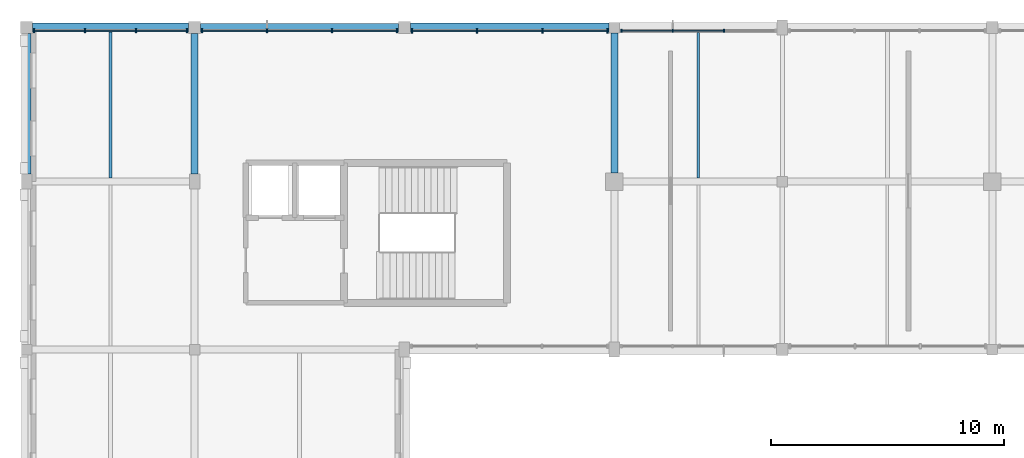
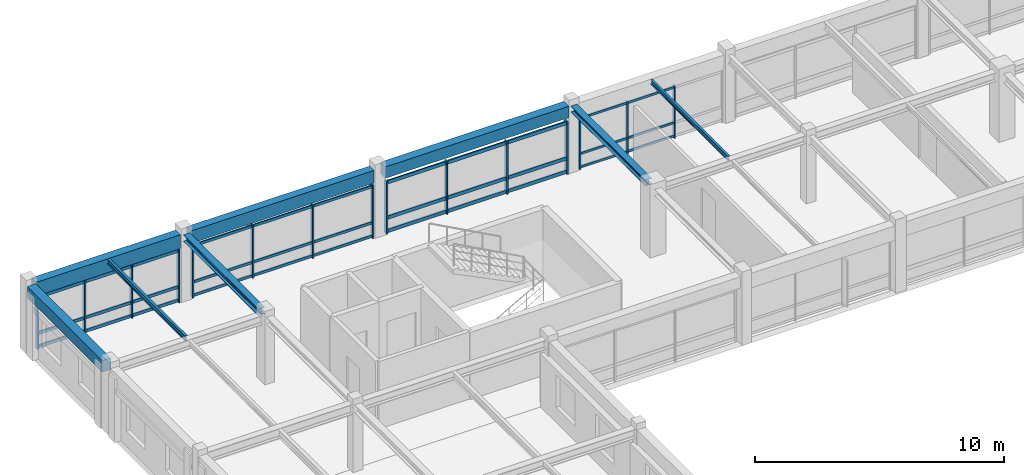
# One storey, part 24 of 74: 48 members, 8 beams, 4 elements without a shape of their own.
"""IFC4 building model written with IfcOpenShell, lengths in metres."""

from ifc_helpers import new_model, si_unit, direction, frame, origin, origin_2d, place, context, subcontext, project, spatial, rectangle, i_section, extrude, material, material_profile, profile_set, type_object, element, aggregate, save


model = new_model("IFC4")

# Units and contexts
model_context = context("Model", 3, precision=1e-05, world=origin(), true_north=direction((0.0, 1.0)))
body_context = subcontext(model_context, "Body", "Model", "MODEL_VIEW")
ifc_project = project(units=[si_unit("LENGTHUNIT", "METRE"), si_unit("AREAUNIT", "SQUARE_METRE"), si_unit("VOLUMEUNIT", "CUBIC_METRE"), si_unit("PLANEANGLEUNIT", "RADIAN"), si_unit("MASSUNIT", "GRAM", prefix="KILO")], contexts=[model_context])

# Site, building, storey
site_placement = place(None, origin())
site = spatial("IfcSite", under=ifc_project, at=site_placement, CompositionType="ELEMENT")
building_placement = place(site_placement, origin())
building = spatial("IfcBuilding", under=site, at=building_placement, Name="Clarverna Civic Hall", CompositionType="ELEMENT")
storey_placement = place(building_placement, frame((0.0, 0.0, 13.199951171875)))
storey = spatial("IfcBuildingStorey", under=building, at=storey_placement, Name="L03", CompositionType="ELEMENT", Elevation=13.199951171875)

# Beams
ifc_material_1 = material(Name="Concrete C35/45", Category="concrete")
ifc_material_profile_1 = material_profile(ifc_material_1, rectangle(XDim=0.3798828125, YDim=0.679931640625, at=origin_2d()), Name="RC 380x680")
ifc_profile_set_1 = profile_set([ifc_material_profile_1], Name="Concrete C35/45")
beam_type_1 = type_object("IfcBeamType", Name="B-SP2", PredefinedType="SPANDREL", material=ifc_profile_set_1)
beam_1_placement = place(storey_placement, frame((0.25, 116.0, 2.9599609375), z_axis=(1.0, 0.0, 0.0), x_axis=(0.0, 1.0, 0.0)))
element("IfcBeam", 1, at=beam_1_placement, inside=storey, type_object=beam_type_1, Name="B-SP2-119", PredefinedType="SPANDREL", context=body_context, shape_type="SweptSolid", body=[
    extrude(rectangle(XDim=0.3798828125, YDim=0.679931640625, at=origin_2d()), origin(), (0.0, 0.0, 1.0), 6.699951171875),
])
ifc_material_profile_2 = material_profile(ifc_material_1, rectangle(XDim=0.360107421875, YDim=0.6201171875, at=origin_2d()), Name="RC 360x620")
ifc_profile_set_2 = profile_set([ifc_material_profile_2], Name="Concrete C35/45")
beam_type_2 = type_object("IfcBeamType", Name="B-SP3", PredefinedType="SPANDREL", material=ifc_profile_set_2)
beam_2_placement = place(storey_placement, frame((7.449951171875, 116.0, 2.989990234375), z_axis=(1.0, 0.0, 0.0), x_axis=(0.0, 1.0, 0.0)))
element("IfcBeam", 2, at=beam_2_placement, inside=storey, type_object=beam_type_2, Name="B-SP3-116", PredefinedType="SPANDREL", context=body_context, shape_type="SweptSolid", body=[
    extrude(rectangle(XDim=0.360107421875, YDim=0.6201171875, at=origin_2d()), origin(), (0.0, 0.0, 1.0), 8.5),
])
ifc_material_profile_3 = material_profile(ifc_material_1, rectangle(XDim=0.39990234375, YDim=0.56005859375, at=origin_2d()), Name="RC 400x560")
ifc_profile_set_3 = profile_set([ifc_material_profile_3], Name="Concrete C35/45")
beam_type_3 = type_object("IfcBeamType", Name="B-SP4", PredefinedType="SPANDREL", material=ifc_profile_set_3)
beam_3_placement = place(storey_placement, frame((16.449951171875, 116.0, 3.02001953125), z_axis=(1.0, 0.0, 0.0), x_axis=(0.0, 1.0, 0.0)))
element("IfcBeam", 3, at=beam_3_placement, inside=storey, type_object=beam_type_3, Name="B-SP4-116", PredefinedType="SPANDREL", context=body_context, shape_type="SweptSolid", body=[
    extrude(rectangle(XDim=0.39990234375, YDim=0.56005859375, at=origin_2d()), origin(), (0.0, 0.0, 1.0), 8.525146484375),
])
beam_4_placement = place(storey_placement, frame((0.0, 109.72509765625, 3.02001953125), z_axis=(0.0, 1.0, 0.0), x_axis=(-1.0, 0.0, 0.0)))
element("IfcBeam", 4, at=beam_4_placement, inside=storey, type_object=beam_type_3, Name="B-SP4-122", PredefinedType="SPANDREL", context=body_context, shape_type="SweptSolid", body=[
    extrude(rectangle(XDim=0.39990234375, YDim=0.56005859375, at=origin_2d()), origin(), (0.0, 0.0, 1.0), 6.02490234375),
])
ifc_material_2 = material(Name="Steel S355", Category="steel")
ifc_material_profile_4 = material_profile(ifc_material_2, i_section(OverallWidth=0.300048828125, OverallDepth=0.2900390625, WebThickness=0.008544921875, FlangeThickness=0.013916015625, FilletRadius=0.027099609375, at=origin_2d()), Name="HEA 300")
ifc_profile_set_4 = profile_set([ifc_material_profile_4], Name="Steel S355")
beam_type_4 = type_object("IfcBeamType", Name="B-ST10", PredefinedType="BEAM", material=ifc_profile_set_4)
beam_5_placement = place(storey_placement, frame((25.199951171875, 109.77490234375, 3.155029296875), z_axis=(0.0, 1.0, 0.0), x_axis=(-1.0, 0.0, 0.0)))
element("IfcBeam", 5, at=beam_5_placement, inside=storey, type_object=beam_type_4, Name="B-ST10-015", PredefinedType="BEAM", context=body_context, shape_type="SweptSolid", body=[
    extrude(i_section(OverallWidth=0.300048828125, OverallDepth=0.2900390625, WebThickness=0.008544921875, FlangeThickness=0.013916015625, FilletRadius=0.027099609375, at=origin_2d()), origin(), (0.0, 0.0, 1.0), 6.0),
])
ifc_material_profile_5 = material_profile(ifc_material_2, i_section(OverallWidth=0.300048828125, OverallDepth=0.330078125, WebThickness=0.009521484375, FlangeThickness=0.0166015625, FilletRadius=0.027099609375, at=origin_2d()), Name="HEA 340")
ifc_profile_set_5 = profile_set([ifc_material_profile_5], Name="Steel S355")
beam_type_5 = type_object("IfcBeamType", Name="B-ST8", PredefinedType="BEAM", material=ifc_profile_set_5)
beam_6_placement = place(storey_placement, frame((7.199951171875, 109.72509765625, 3.135009765625), z_axis=(0.0, 1.0, 0.0), x_axis=(-1.0, 0.0, 0.0)))
element("IfcBeam", 6, at=beam_6_placement, inside=storey, type_object=beam_type_5, Name="B-ST8-086", PredefinedType="BEAM", context=body_context, shape_type="SweptSolid", body=[
    extrude(i_section(OverallWidth=0.300048828125, OverallDepth=0.330078125, WebThickness=0.009521484375, FlangeThickness=0.0166015625, FilletRadius=0.027099609375, at=origin_2d()), origin(), (0.0, 0.0, 1.0), 6.02490234375),
])

# Curtain wall, members
ifc_material_3 = material(Name="Anodised Bronze Architectural Aluminium", Category="aluminium")
curtain_wall_type = type_object("IfcCurtainWallType", Name="CW-05", PredefinedType="USERDEFINED", material=ifc_material_3)
curtain_wall_1_placement = place(storey_placement, origin())
curtain_wall_1 = element("IfcCurtainWall", 7, at=curtain_wall_1_placement, inside=storey, type_object=curtain_wall_type, Name="CW-05-001", ObjectType="UNITISED CURTAIN WALL", PredefinedType="USERDEFINED")
ifc_material_profile_6 = material_profile(ifc_material_3, rectangle(XDim=0.06005859375, YDim=0.179931640625, at=origin_2d()), Name="BRONZE 60x180")
ifc_profile_set_6 = profile_set([ifc_material_profile_6], Name="Anodised Bronze Architectural Aluminium")
member_type_1 = type_object("IfcMemberType", Name="CWM-01", PredefinedType="MULLION", material=ifc_profile_set_6)
member_1_placement = place(storey_placement, frame((0.322998046875, 115.860107421875, 0.0), z_axis=(0.0, 0.0, 1.0), x_axis=(1.0, 0.0, 0.0)))
member_1 = element("IfcMember", 8, at=member_1_placement, type_object=member_type_1, Name="CWM-01-128", PredefinedType="MULLION", context=body_context, shape_type="SweptSolid", body=[
    extrude(rectangle(XDim=0.06005859375, YDim=0.179931640625, at=origin_2d()), origin(), (0.0, 0.0, 1.0), 2.6201171875),
])
member_2_placement = place(storey_placement, frame((2.5078125, 115.860107421875, 0.0), z_axis=(0.0, 0.0, 1.0), x_axis=(1.0, 0.0, 0.0)))
member_2 = element("IfcMember", 9, at=member_2_placement, type_object=member_type_1, Name="CWM-01-129", PredefinedType="MULLION", context=body_context, shape_type="SweptSolid", body=[
    extrude(rectangle(XDim=0.06005859375, YDim=0.179931640625, at=origin_2d()), origin(), (0.0, 0.0, 1.0), 2.6201171875),
])
member_3_placement = place(storey_placement, frame((4.6923828125, 115.860107421875, 0.0), z_axis=(0.0, 0.0, 1.0), x_axis=(1.0, 0.0, 0.0)))
member_3 = element("IfcMember", 10, at=member_3_placement, type_object=member_type_1, Name="CWM-01-130", PredefinedType="MULLION", context=body_context, shape_type="SweptSolid", body=[
    extrude(rectangle(XDim=0.06005859375, YDim=0.179931640625, at=origin_2d()), origin(), (0.0, 0.0, 1.0), 2.6201171875),
])
member_4_placement = place(storey_placement, frame((6.876953125, 115.860107421875, 0.0), z_axis=(0.0, 0.0, 1.0), x_axis=(1.0, 0.0, 0.0)))
member_4 = element("IfcMember", 11, at=member_4_placement, type_object=member_type_1, Name="CWM-01-131", PredefinedType="MULLION", context=body_context, shape_type="SweptSolid", body=[
    extrude(rectangle(XDim=0.06005859375, YDim=0.179931640625, at=origin_2d()), origin(), (0.0, 0.0, 1.0), 2.6201171875),
])

curtain_wall_2_placement = place(storey_placement, origin())
curtain_wall_2 = element("IfcCurtainWall", 12, at=curtain_wall_2_placement, inside=storey, type_object=curtain_wall_type, Name="CW-05-002", ObjectType="UNITISED CURTAIN WALL", PredefinedType="USERDEFINED")
ifc_material_profile_7 = material_profile(ifc_material_3, rectangle(XDim=0.06005859375, YDim=0.159912109375, at=origin_2d()), Name="BRONZE 60x160")
ifc_profile_set_7 = profile_set([ifc_material_profile_7], Name="Anodised Bronze Architectural Aluminium")
member_type_2 = type_object("IfcMemberType", Name="CWM-02", PredefinedType="MULLION", material=ifc_profile_set_7)
member_5_placement = place(storey_placement, frame((7.52294921875, 115.860107421875, 0.0), z_axis=(0.0, 0.0, 1.0), x_axis=(1.0, 0.0, 0.0)))
member_5 = element("IfcMember", 13, at=member_5_placement, type_object=member_type_2, Name="CWM-02-168", PredefinedType="MULLION", context=body_context, shape_type="SweptSolid", body=[
    extrude(rectangle(XDim=0.06005859375, YDim=0.159912109375, at=origin_2d()), origin(), (0.0, 0.0, 1.0), 2.6201171875),
])
member_6_placement = place(storey_placement, frame((10.3076171875, 115.860107421875, 0.0), z_axis=(0.0, 0.0, 1.0), x_axis=(1.0, 0.0, 0.0)))
member_6 = element("IfcMember", 14, at=member_6_placement, type_object=member_type_2, Name="CWM-02-169", PredefinedType="MULLION", context=body_context, shape_type="SweptSolid", body=[
    extrude(rectangle(XDim=0.06005859375, YDim=0.159912109375, at=origin_2d()), origin(), (0.0, 0.0, 1.0), 2.6201171875),
])
member_7_placement = place(storey_placement, frame((13.09228515625, 115.860107421875, 0.0), z_axis=(0.0, 0.0, 1.0), x_axis=(1.0, 0.0, 0.0)))
member_7 = element("IfcMember", 15, at=member_7_placement, type_object=member_type_2, Name="CWM-02-170", PredefinedType="MULLION", context=body_context, shape_type="SweptSolid", body=[
    extrude(rectangle(XDim=0.06005859375, YDim=0.159912109375, at=origin_2d()), origin(), (0.0, 0.0, 1.0), 2.6201171875),
])
member_8_placement = place(storey_placement, frame((15.876953125, 115.860107421875, 0.0), z_axis=(0.0, 0.0, 1.0), x_axis=(1.0, 0.0, 0.0)))
member_8 = element("IfcMember", 16, at=member_8_placement, type_object=member_type_2, Name="CWM-02-171", PredefinedType="MULLION", context=body_context, shape_type="SweptSolid", body=[
    extrude(rectangle(XDim=0.06005859375, YDim=0.159912109375, at=origin_2d()), origin(), (0.0, 0.0, 1.0), 2.6201171875),
])

curtain_wall_3_placement = place(storey_placement, origin())
curtain_wall_3 = element("IfcCurtainWall", 17, at=curtain_wall_3_placement, inside=storey, type_object=curtain_wall_type, Name="CW-05-003", ObjectType="UNITISED CURTAIN WALL", PredefinedType="USERDEFINED")
ifc_material_profile_8 = material_profile(ifc_material_3, rectangle(XDim=0.06494140625, YDim=0.199951171875, at=origin_2d()), Name="BRONZE 65x200")
ifc_profile_set_8 = profile_set([ifc_material_profile_8], Name="Anodised Bronze Architectural Aluminium")
member_type_3 = type_object("IfcMemberType", Name="CWM-03", PredefinedType="MULLION", material=ifc_profile_set_8)
member_9_placement = place(storey_placement, frame((16.52294921875, 115.860107421875, 0.0), z_axis=(0.0, 0.0, 1.0), x_axis=(1.0, 0.0, 0.0)))
member_9 = element("IfcMember", 18, at=member_9_placement, type_object=member_type_3, Name="CWM-03-131", PredefinedType="MULLION", context=body_context, shape_type="SweptSolid", body=[
    extrude(rectangle(XDim=0.06494140625, YDim=0.199951171875, at=origin_2d()), origin(), (0.0, 0.0, 1.0), 2.580078125),
])
member_10_placement = place(storey_placement, frame((19.31591796875, 115.860107421875, 0.0), z_axis=(0.0, 0.0, 1.0), x_axis=(1.0, 0.0, 0.0)))
member_10 = element("IfcMember", 19, at=member_10_placement, type_object=member_type_3, Name="CWM-03-132", PredefinedType="MULLION", context=body_context, shape_type="SweptSolid", body=[
    extrude(rectangle(XDim=0.06494140625, YDim=0.199951171875, at=origin_2d()), origin(), (0.0, 0.0, 1.0), 2.580078125),
])
member_11_placement = place(storey_placement, frame((22.10888671875, 115.860107421875, 0.0), z_axis=(0.0, 0.0, 1.0), x_axis=(1.0, 0.0, 0.0)))
member_11 = element("IfcMember", 20, at=member_11_placement, type_object=member_type_3, Name="CWM-03-133", PredefinedType="MULLION", context=body_context, shape_type="SweptSolid", body=[
    extrude(rectangle(XDim=0.06494140625, YDim=0.199951171875, at=origin_2d()), origin(), (0.0, 0.0, 1.0), 2.580078125),
])
member_12_placement = place(storey_placement, frame((24.902099609375, 115.860107421875, 0.0), z_axis=(0.0, 0.0, 1.0), x_axis=(1.0, 0.0, 0.0)))
member_12 = element("IfcMember", 21, at=member_12_placement, type_object=member_type_3, Name="CWM-03-134", PredefinedType="MULLION", context=body_context, shape_type="SweptSolid", body=[
    extrude(rectangle(XDim=0.06494140625, YDim=0.199951171875, at=origin_2d()), origin(), (0.0, 0.0, 1.0), 2.580078125),
])

curtain_wall_4_placement = place(storey_placement, origin())
curtain_wall_4 = element("IfcCurtainWall", 22, at=curtain_wall_4_placement, inside=storey, type_object=curtain_wall_type, Name="CW-05-004", ObjectType="UNITISED CURTAIN WALL", PredefinedType="USERDEFINED")
ifc_material_profile_9 = material_profile(ifc_material_3, rectangle(XDim=0.054931640625, YDim=0.139892578125, at=origin_2d()), Name="BRONZE 55x140")
ifc_profile_set_9 = profile_set([ifc_material_profile_9], Name="Anodised Bronze Architectural Aluminium")
member_type_4 = type_object("IfcMemberType", Name="CWM-04", PredefinedType="MULLION", material=ifc_profile_set_9)
member_13_placement = place(storey_placement, frame((25.498046875, 115.860107421875, 0.0), z_axis=(0.0, 0.0, 1.0), x_axis=(1.0, 0.0, 0.0)))
member_13 = element("IfcMember", 23, at=member_13_placement, type_object=member_type_4, Name="CWM-04-172", PredefinedType="MULLION", context=body_context, shape_type="SweptSolid", body=[
    extrude(rectangle(XDim=0.054931640625, YDim=0.139892578125, at=origin_2d()), origin(), (0.0, 0.0, 1.0), 2.580078125),
])
member_14_placement = place(storey_placement, frame((27.69921875, 115.860107421875, 0.0), z_axis=(0.0, 0.0, 1.0), x_axis=(1.0, 0.0, 0.0)))
member_14 = element("IfcMember", 24, at=member_14_placement, type_object=member_type_4, Name="CWM-04-173", PredefinedType="MULLION", context=body_context, shape_type="SweptSolid", body=[
    extrude(rectangle(XDim=0.054931640625, YDim=0.139892578125, at=origin_2d()), origin(), (0.0, 0.0, 1.0), 2.580078125),
])
member_15_placement = place(storey_placement, frame((29.900634765625, 115.860107421875, 0.0), z_axis=(0.0, 0.0, 1.0), x_axis=(1.0, 0.0, 0.0)))
member_15 = element("IfcMember", 25, at=member_15_placement, type_object=member_type_4, Name="CWM-04-174", PredefinedType="MULLION", context=body_context, shape_type="SweptSolid", body=[
    extrude(rectangle(XDim=0.054931640625, YDim=0.139892578125, at=origin_2d()), origin(), (0.0, 0.0, 1.0), 2.580078125),
])

# Member
ifc_material_profile_10 = material_profile(ifc_material_3, rectangle(XDim=0.06005859375, YDim=0.14990234375, at=origin_2d()), Name="BRONZE 60x150")
ifc_profile_set_10 = profile_set([ifc_material_profile_10], Name="Anodised Bronze Architectural Aluminium")
member_type_5 = type_object("IfcMemberType", Name="CWT-01", PredefinedType="USERDEFINED", material=ifc_profile_set_10)
member_16_placement = place(storey_placement, frame((0.337890625, 115.860107421875, 0.094970703125), z_axis=(1.0, 0.0, 0.0), x_axis=(0.0, 1.0, 0.0)))
member_16 = element("IfcMember", 26, at=member_16_placement, type_object=member_type_5, Name="CWT-01-271", ObjectType="TRANSOM", PredefinedType="USERDEFINED", context=body_context, shape_type="SweptSolid", body=[
    extrude(rectangle(XDim=0.06005859375, YDim=0.14990234375, at=origin_2d()), origin(), (0.0, 0.0, 1.0), 2.15478515625),
])

member_17_placement = place(storey_placement, frame((0.337890625, 115.860107421875, 0.75), z_axis=(1.0, 0.0, 0.0), x_axis=(0.0, 1.0, 0.0)))
member_17 = element("IfcMember", 27, at=member_17_placement, type_object=member_type_5, Name="CWT-01-272", ObjectType="TRANSOM", PredefinedType="USERDEFINED", context=body_context, shape_type="SweptSolid", body=[
    extrude(rectangle(XDim=0.06005859375, YDim=0.14990234375, at=origin_2d()), origin(), (0.0, 0.0, 1.0), 2.15478515625),
])

member_18_placement = place(storey_placement, frame((0.337890625, 115.860107421875, 2.525146484375), z_axis=(1.0, 0.0, 0.0), x_axis=(0.0, 1.0, 0.0)))
member_18 = element("IfcMember", 28, at=member_18_placement, type_object=member_type_5, Name="CWT-01-273", ObjectType="TRANSOM", PredefinedType="USERDEFINED", context=body_context, shape_type="SweptSolid", body=[
    extrude(rectangle(XDim=0.06005859375, YDim=0.14990234375, at=origin_2d()), origin(), (0.0, 0.0, 1.0), 2.15478515625),
])

member_19_placement = place(storey_placement, frame((2.522705078125, 115.860107421875, 0.094970703125), z_axis=(1.0, 0.0, 0.0), x_axis=(0.0, 1.0, 0.0)))
member_19 = element("IfcMember", 29, at=member_19_placement, type_object=member_type_5, Name="CWT-01-274", ObjectType="TRANSOM", PredefinedType="USERDEFINED", context=body_context, shape_type="SweptSolid", body=[
    extrude(rectangle(XDim=0.06005859375, YDim=0.14990234375, at=origin_2d()), origin(), (0.0, 0.0, 1.0), 2.154541015625),
])

member_20_placement = place(storey_placement, frame((2.522705078125, 115.860107421875, 0.75), z_axis=(1.0, 0.0, 0.0), x_axis=(0.0, 1.0, 0.0)))
member_20 = element("IfcMember", 30, at=member_20_placement, type_object=member_type_5, Name="CWT-01-275", ObjectType="TRANSOM", PredefinedType="USERDEFINED", context=body_context, shape_type="SweptSolid", body=[
    extrude(rectangle(XDim=0.06005859375, YDim=0.14990234375, at=origin_2d()), origin(), (0.0, 0.0, 1.0), 2.154541015625),
])

member_21_placement = place(storey_placement, frame((2.522705078125, 115.860107421875, 2.525146484375), z_axis=(1.0, 0.0, 0.0), x_axis=(0.0, 1.0, 0.0)))
member_21 = element("IfcMember", 31, at=member_21_placement, type_object=member_type_5, Name="CWT-01-276", ObjectType="TRANSOM", PredefinedType="USERDEFINED", context=body_context, shape_type="SweptSolid", body=[
    extrude(rectangle(XDim=0.06005859375, YDim=0.14990234375, at=origin_2d()), origin(), (0.0, 0.0, 1.0), 2.154541015625),
])

member_22_placement = place(storey_placement, frame((4.707275390625, 115.860107421875, 0.094970703125), z_axis=(1.0, 0.0, 0.0), x_axis=(0.0, 1.0, 0.0)))
member_22 = element("IfcMember", 32, at=member_22_placement, type_object=member_type_5, Name="CWT-01-277", ObjectType="TRANSOM", PredefinedType="USERDEFINED", context=body_context, shape_type="SweptSolid", body=[
    extrude(rectangle(XDim=0.06005859375, YDim=0.14990234375, at=origin_2d()), origin(), (0.0, 0.0, 1.0), 2.15478515625),
])

member_23_placement = place(storey_placement, frame((4.707275390625, 115.860107421875, 0.75), z_axis=(1.0, 0.0, 0.0), x_axis=(0.0, 1.0, 0.0)))
member_23 = element("IfcMember", 33, at=member_23_placement, type_object=member_type_5, Name="CWT-01-278", ObjectType="TRANSOM", PredefinedType="USERDEFINED", context=body_context, shape_type="SweptSolid", body=[
    extrude(rectangle(XDim=0.06005859375, YDim=0.14990234375, at=origin_2d()), origin(), (0.0, 0.0, 1.0), 2.15478515625),
])

member_24_placement = place(storey_placement, frame((4.707275390625, 115.860107421875, 2.525146484375), z_axis=(1.0, 0.0, 0.0), x_axis=(0.0, 1.0, 0.0)))
member_24 = element("IfcMember", 34, at=member_24_placement, type_object=member_type_5, Name="CWT-01-279", ObjectType="TRANSOM", PredefinedType="USERDEFINED", context=body_context, shape_type="SweptSolid", body=[
    extrude(rectangle(XDim=0.06005859375, YDim=0.14990234375, at=origin_2d()), origin(), (0.0, 0.0, 1.0), 2.15478515625),
])

aggregate(curtain_wall_1, [member_1, member_2, member_3, member_4, member_16, member_17, member_18, member_19, member_20, member_21, member_22, member_23, member_24])

ifc_material_profile_11 = material_profile(ifc_material_3, rectangle(XDim=0.06005859375, YDim=0.1298828125, at=origin_2d()), Name="BRONZE 60x130")
ifc_profile_set_11 = profile_set([ifc_material_profile_11], Name="Anodised Bronze Architectural Aluminium")
member_type_6 = type_object("IfcMemberType", Name="CWT-02", PredefinedType="USERDEFINED", material=ifc_profile_set_11)
member_25_placement = place(storey_placement, frame((7.5380859375, 115.860107421875, 0.094970703125), z_axis=(1.0, 0.0, 0.0), x_axis=(0.0, 1.0, 0.0)))
member_25 = element("IfcMember", 35, at=member_25_placement, type_object=member_type_6, Name="CWT-02-352", ObjectType="TRANSOM", PredefinedType="USERDEFINED", context=body_context, shape_type="SweptSolid", body=[
    extrude(rectangle(XDim=0.06005859375, YDim=0.1298828125, at=origin_2d()), origin(), (0.0, 0.0, 1.0), 2.754638671875),
])

member_26_placement = place(storey_placement, frame((7.5380859375, 115.860107421875, 0.75), z_axis=(1.0, 0.0, 0.0), x_axis=(0.0, 1.0, 0.0)))
member_26 = element("IfcMember", 36, at=member_26_placement, type_object=member_type_6, Name="CWT-02-353", ObjectType="TRANSOM", PredefinedType="USERDEFINED", context=body_context, shape_type="SweptSolid", body=[
    extrude(rectangle(XDim=0.06005859375, YDim=0.1298828125, at=origin_2d()), origin(), (0.0, 0.0, 1.0), 2.754638671875),
])

member_27_placement = place(storey_placement, frame((7.5380859375, 115.860107421875, 2.525146484375), z_axis=(1.0, 0.0, 0.0), x_axis=(0.0, 1.0, 0.0)))
member_27 = element("IfcMember", 37, at=member_27_placement, type_object=member_type_6, Name="CWT-02-354", ObjectType="TRANSOM", PredefinedType="USERDEFINED", context=body_context, shape_type="SweptSolid", body=[
    extrude(rectangle(XDim=0.06005859375, YDim=0.1298828125, at=origin_2d()), origin(), (0.0, 0.0, 1.0), 2.754638671875),
])

member_28_placement = place(storey_placement, frame((10.32275390625, 115.860107421875, 0.094970703125), z_axis=(1.0, 0.0, 0.0), x_axis=(0.0, 1.0, 0.0)))
member_28 = element("IfcMember", 38, at=member_28_placement, type_object=member_type_6, Name="CWT-02-355", ObjectType="TRANSOM", PredefinedType="USERDEFINED", context=body_context, shape_type="SweptSolid", body=[
    extrude(rectangle(XDim=0.06005859375, YDim=0.1298828125, at=origin_2d()), origin(), (0.0, 0.0, 1.0), 2.754638671875),
])

member_29_placement = place(storey_placement, frame((10.32275390625, 115.860107421875, 0.75), z_axis=(1.0, 0.0, 0.0), x_axis=(0.0, 1.0, 0.0)))
member_29 = element("IfcMember", 39, at=member_29_placement, type_object=member_type_6, Name="CWT-02-356", ObjectType="TRANSOM", PredefinedType="USERDEFINED", context=body_context, shape_type="SweptSolid", body=[
    extrude(rectangle(XDim=0.06005859375, YDim=0.1298828125, at=origin_2d()), origin(), (0.0, 0.0, 1.0), 2.754638671875),
])

member_30_placement = place(storey_placement, frame((10.32275390625, 115.860107421875, 2.525146484375), z_axis=(1.0, 0.0, 0.0), x_axis=(0.0, 1.0, 0.0)))
member_30 = element("IfcMember", 40, at=member_30_placement, type_object=member_type_6, Name="CWT-02-357", ObjectType="TRANSOM", PredefinedType="USERDEFINED", context=body_context, shape_type="SweptSolid", body=[
    extrude(rectangle(XDim=0.06005859375, YDim=0.1298828125, at=origin_2d()), origin(), (0.0, 0.0, 1.0), 2.754638671875),
])

member_31_placement = place(storey_placement, frame((13.107421875, 115.860107421875, 0.094970703125), z_axis=(1.0, 0.0, 0.0), x_axis=(0.0, 1.0, 0.0)))
member_31 = element("IfcMember", 41, at=member_31_placement, type_object=member_type_6, Name="CWT-02-358", ObjectType="TRANSOM", PredefinedType="USERDEFINED", context=body_context, shape_type="SweptSolid", body=[
    extrude(rectangle(XDim=0.06005859375, YDim=0.1298828125, at=origin_2d()), origin(), (0.0, 0.0, 1.0), 2.754638671875),
])

member_32_placement = place(storey_placement, frame((13.107421875, 115.860107421875, 0.75), z_axis=(1.0, 0.0, 0.0), x_axis=(0.0, 1.0, 0.0)))
member_32 = element("IfcMember", 42, at=member_32_placement, type_object=member_type_6, Name="CWT-02-359", ObjectType="TRANSOM", PredefinedType="USERDEFINED", context=body_context, shape_type="SweptSolid", body=[
    extrude(rectangle(XDim=0.06005859375, YDim=0.1298828125, at=origin_2d()), origin(), (0.0, 0.0, 1.0), 2.754638671875),
])

member_33_placement = place(storey_placement, frame((13.107421875, 115.860107421875, 2.525146484375), z_axis=(1.0, 0.0, 0.0), x_axis=(0.0, 1.0, 0.0)))
member_33 = element("IfcMember", 43, at=member_33_placement, type_object=member_type_6, Name="CWT-02-360", ObjectType="TRANSOM", PredefinedType="USERDEFINED", context=body_context, shape_type="SweptSolid", body=[
    extrude(rectangle(XDim=0.06005859375, YDim=0.1298828125, at=origin_2d()), origin(), (0.0, 0.0, 1.0), 2.754638671875),
])

aggregate(curtain_wall_2, [member_5, member_6, member_7, member_8, member_25, member_26, member_27, member_28, member_29, member_30, member_31, member_32, member_33])

ifc_material_profile_12 = material_profile(ifc_material_3, rectangle(XDim=0.06494140625, YDim=0.169921875, at=origin_2d()), Name="BRONZE 65x170")
ifc_profile_set_12 = profile_set([ifc_material_profile_12], Name="Anodised Bronze Architectural Aluminium")
member_type_7 = type_object("IfcMemberType", Name="CWT-03", PredefinedType="USERDEFINED", material=ifc_profile_set_12)
member_34_placement = place(storey_placement, frame((16.5380859375, 115.860107421875, 0.094970703125), z_axis=(1.0, 0.0, 0.0), x_axis=(0.0, 1.0, 0.0)))
member_34 = element("IfcMember", 44, at=member_34_placement, type_object=member_type_7, Name="CWT-03-277", ObjectType="TRANSOM", PredefinedType="USERDEFINED", context=body_context, shape_type="SweptSolid", body=[
    extrude(rectangle(XDim=0.06494140625, YDim=0.169921875, at=origin_2d()), origin(), (0.0, 0.0, 1.0), 2.762939453125),
])

member_35_placement = place(storey_placement, frame((16.5380859375, 115.860107421875, 0.75), z_axis=(1.0, 0.0, 0.0), x_axis=(0.0, 1.0, 0.0)))
member_35 = element("IfcMember", 45, at=member_35_placement, type_object=member_type_7, Name="CWT-03-278", ObjectType="TRANSOM", PredefinedType="USERDEFINED", context=body_context, shape_type="SweptSolid", body=[
    extrude(rectangle(XDim=0.06494140625, YDim=0.169921875, at=origin_2d()), origin(), (0.0, 0.0, 1.0), 2.762939453125),
])

member_36_placement = place(storey_placement, frame((16.5380859375, 115.860107421875, 2.485107421875), z_axis=(1.0, 0.0, 0.0), x_axis=(0.0, 1.0, 0.0)))
member_36 = element("IfcMember", 46, at=member_36_placement, type_object=member_type_7, Name="CWT-03-279", ObjectType="TRANSOM", PredefinedType="USERDEFINED", context=body_context, shape_type="SweptSolid", body=[
    extrude(rectangle(XDim=0.06494140625, YDim=0.169921875, at=origin_2d()), origin(), (0.0, 0.0, 1.0), 2.762939453125),
])

member_37_placement = place(storey_placement, frame((19.3310546875, 115.860107421875, 0.094970703125), z_axis=(1.0, 0.0, 0.0), x_axis=(0.0, 1.0, 0.0)))
member_37 = element("IfcMember", 47, at=member_37_placement, type_object=member_type_7, Name="CWT-03-280", ObjectType="TRANSOM", PredefinedType="USERDEFINED", context=body_context, shape_type="SweptSolid", body=[
    extrude(rectangle(XDim=0.06494140625, YDim=0.169921875, at=origin_2d()), origin(), (0.0, 0.0, 1.0), 2.762939453125),
])

member_38_placement = place(storey_placement, frame((19.3310546875, 115.860107421875, 0.75), z_axis=(1.0, 0.0, 0.0), x_axis=(0.0, 1.0, 0.0)))
member_38 = element("IfcMember", 48, at=member_38_placement, type_object=member_type_7, Name="CWT-03-281", ObjectType="TRANSOM", PredefinedType="USERDEFINED", context=body_context, shape_type="SweptSolid", body=[
    extrude(rectangle(XDim=0.06494140625, YDim=0.169921875, at=origin_2d()), origin(), (0.0, 0.0, 1.0), 2.762939453125),
])

member_39_placement = place(storey_placement, frame((19.3310546875, 115.860107421875, 2.485107421875), z_axis=(1.0, 0.0, 0.0), x_axis=(0.0, 1.0, 0.0)))
member_39 = element("IfcMember", 49, at=member_39_placement, type_object=member_type_7, Name="CWT-03-282", ObjectType="TRANSOM", PredefinedType="USERDEFINED", context=body_context, shape_type="SweptSolid", body=[
    extrude(rectangle(XDim=0.06494140625, YDim=0.169921875, at=origin_2d()), origin(), (0.0, 0.0, 1.0), 2.762939453125),
])

member_40_placement = place(storey_placement, frame((22.1240234375, 115.860107421875, 0.094970703125), z_axis=(1.0, 0.0, 0.0), x_axis=(0.0, 1.0, 0.0)))
member_40 = element("IfcMember", 50, at=member_40_placement, type_object=member_type_7, Name="CWT-03-283", ObjectType="TRANSOM", PredefinedType="USERDEFINED", context=body_context, shape_type="SweptSolid", body=[
    extrude(rectangle(XDim=0.06494140625, YDim=0.169921875, at=origin_2d()), origin(), (0.0, 0.0, 1.0), 2.762939453125),
])

member_41_placement = place(storey_placement, frame((22.1240234375, 115.860107421875, 0.75), z_axis=(1.0, 0.0, 0.0), x_axis=(0.0, 1.0, 0.0)))
member_41 = element("IfcMember", 51, at=member_41_placement, type_object=member_type_7, Name="CWT-03-284", ObjectType="TRANSOM", PredefinedType="USERDEFINED", context=body_context, shape_type="SweptSolid", body=[
    extrude(rectangle(XDim=0.06494140625, YDim=0.169921875, at=origin_2d()), origin(), (0.0, 0.0, 1.0), 2.762939453125),
])

member_42_placement = place(storey_placement, frame((22.1240234375, 115.860107421875, 2.485107421875), z_axis=(1.0, 0.0, 0.0), x_axis=(0.0, 1.0, 0.0)))
member_42 = element("IfcMember", 52, at=member_42_placement, type_object=member_type_7, Name="CWT-03-285", ObjectType="TRANSOM", PredefinedType="USERDEFINED", context=body_context, shape_type="SweptSolid", body=[
    extrude(rectangle(XDim=0.06494140625, YDim=0.169921875, at=origin_2d()), origin(), (0.0, 0.0, 1.0), 2.762939453125),
])

aggregate(curtain_wall_3, [member_9, member_10, member_11, member_12, member_34, member_35, member_36, member_37, member_38, member_39, member_40, member_41, member_42])

ifc_material_profile_13 = material_profile(ifc_material_3, rectangle(XDim=0.054931640625, YDim=0.110107421875, at=origin_2d()), Name="BRONZE 55x110")
ifc_profile_set_13 = profile_set([ifc_material_profile_13], Name="Anodised Bronze Architectural Aluminium")
member_type_8 = type_object("IfcMemberType", Name="CWT-04", PredefinedType="USERDEFINED", material=ifc_profile_set_13)
member_43_placement = place(storey_placement, frame((25.512939453125, 115.860107421875, 0.094970703125), z_axis=(1.0, 0.0, 0.0), x_axis=(0.0, 1.0, 0.0)))
member_43 = element("IfcMember", 53, at=member_43_placement, type_object=member_type_8, Name="CWT-04-361", ObjectType="TRANSOM", PredefinedType="USERDEFINED", context=body_context, shape_type="SweptSolid", body=[
    extrude(rectangle(XDim=0.054931640625, YDim=0.110107421875, at=origin_2d()), origin(), (0.0, 0.0, 1.0), 2.17138671875),
])

member_44_placement = place(storey_placement, frame((25.512939453125, 115.860107421875, 0.75), z_axis=(1.0, 0.0, 0.0), x_axis=(0.0, 1.0, 0.0)))
member_44 = element("IfcMember", 54, at=member_44_placement, type_object=member_type_8, Name="CWT-04-362", ObjectType="TRANSOM", PredefinedType="USERDEFINED", context=body_context, shape_type="SweptSolid", body=[
    extrude(rectangle(XDim=0.054931640625, YDim=0.110107421875, at=origin_2d()), origin(), (0.0, 0.0, 1.0), 2.17138671875),
])

member_45_placement = place(storey_placement, frame((25.512939453125, 115.860107421875, 2.485107421875), z_axis=(1.0, 0.0, 0.0), x_axis=(0.0, 1.0, 0.0)))
member_45 = element("IfcMember", 55, at=member_45_placement, type_object=member_type_8, Name="CWT-04-363", ObjectType="TRANSOM", PredefinedType="USERDEFINED", context=body_context, shape_type="SweptSolid", body=[
    extrude(rectangle(XDim=0.054931640625, YDim=0.110107421875, at=origin_2d()), origin(), (0.0, 0.0, 1.0), 2.17138671875),
])

member_46_placement = place(storey_placement, frame((27.71435546875, 115.860107421875, 0.094970703125), z_axis=(1.0, 0.0, 0.0), x_axis=(0.0, 1.0, 0.0)))
member_46 = element("IfcMember", 56, at=member_46_placement, type_object=member_type_8, Name="CWT-04-364", ObjectType="TRANSOM", PredefinedType="USERDEFINED", context=body_context, shape_type="SweptSolid", body=[
    extrude(rectangle(XDim=0.054931640625, YDim=0.110107421875, at=origin_2d()), origin(), (0.0, 0.0, 1.0), 2.17138671875),
])

member_47_placement = place(storey_placement, frame((27.71435546875, 115.860107421875, 0.75), z_axis=(1.0, 0.0, 0.0), x_axis=(0.0, 1.0, 0.0)))
member_47 = element("IfcMember", 57, at=member_47_placement, type_object=member_type_8, Name="CWT-04-365", ObjectType="TRANSOM", PredefinedType="USERDEFINED", context=body_context, shape_type="SweptSolid", body=[
    extrude(rectangle(XDim=0.054931640625, YDim=0.110107421875, at=origin_2d()), origin(), (0.0, 0.0, 1.0), 2.17138671875),
])

member_48_placement = place(storey_placement, frame((27.71435546875, 115.860107421875, 2.485107421875), z_axis=(1.0, 0.0, 0.0), x_axis=(0.0, 1.0, 0.0)))
member_48 = element("IfcMember", 58, at=member_48_placement, type_object=member_type_8, Name="CWT-04-366", ObjectType="TRANSOM", PredefinedType="USERDEFINED", context=body_context, shape_type="SweptSolid", body=[
    extrude(rectangle(XDim=0.054931640625, YDim=0.110107421875, at=origin_2d()), origin(), (0.0, 0.0, 1.0), 2.17138671875),
])

aggregate(curtain_wall_4, [member_13, member_14, member_15, member_43, member_44, member_45, member_46, member_47, member_48])

# Beams
ifc_material_profile_14 = material_profile(ifc_material_2, i_section(OverallWidth=0.1201171875, OverallDepth=0.239990234375, WebThickness=0.006103515625, FlangeThickness=0.009765625, FilletRadius=0.014892578125, at=origin_2d()), Name="IPE 240")
ifc_profile_set_14 = profile_set([ifc_material_profile_14], Name="Steel S355")
beam_type_6 = type_object("IfcBeamType", Name="J-ST5", PredefinedType="JOIST", material=ifc_profile_set_14)
beam_7_placement = place(storey_placement, frame((3.60009765625, 109.550048828125, 3.179931640625), z_axis=(0.0, 1.0, 0.0), x_axis=(-1.0, 0.0, 0.0)))
element("IfcBeam", 59, at=beam_7_placement, inside=storey, type_object=beam_type_6, Name="J-ST5-065", PredefinedType="JOIST", context=body_context, shape_type="SweptSolid", body=[
    extrude(i_section(OverallWidth=0.1201171875, OverallDepth=0.239990234375, WebThickness=0.006103515625, FlangeThickness=0.009765625, FilletRadius=0.014892578125, at=origin_2d()), origin(), (0.0, 0.0, 1.0), 6.260009765625),
])
ifc_material_profile_15 = material_profile(ifc_material_2, i_section(OverallWidth=0.110107421875, OverallDepth=0.219970703125, WebThickness=0.005859375, FlangeThickness=0.00927734375, FilletRadius=0.011962890625, at=origin_2d()), Name="IPE 220")
ifc_profile_set_15 = profile_set([ifc_material_profile_15], Name="Steel S355")
beam_type_7 = type_object("IfcBeamType", Name="J-ST6", PredefinedType="JOIST", material=ifc_profile_set_15)
beam_8_placement = place(storey_placement, frame((28.800048828125, 109.550048828125, 3.18994140625), z_axis=(0.0, 1.0, 0.0), x_axis=(-1.0, 0.0, 0.0)))
element("IfcBeam", 60, at=beam_8_placement, inside=storey, type_object=beam_type_7, Name="J-ST6-066", PredefinedType="JOIST", context=body_context, shape_type="SweptSolid", body=[
    extrude(i_section(OverallWidth=0.110107421875, OverallDepth=0.219970703125, WebThickness=0.005859375, FlangeThickness=0.00927734375, FilletRadius=0.011962890625, at=origin_2d()), origin(), (0.0, 0.0, 1.0), 6.239990234375),
])

save(model, "model.ifc")
